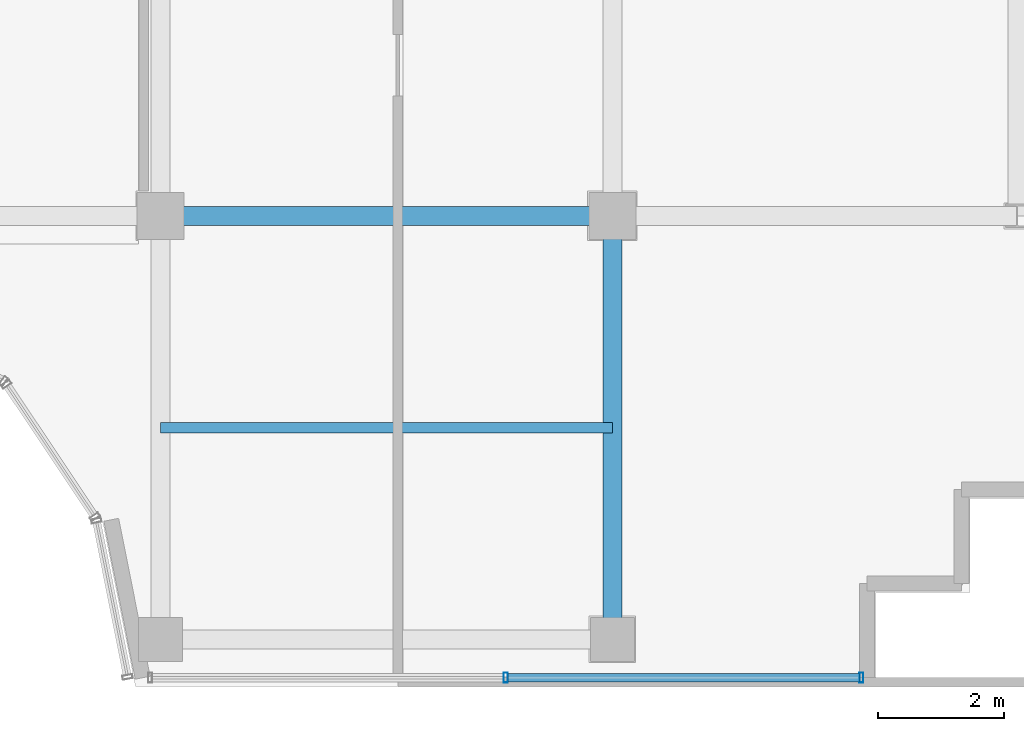
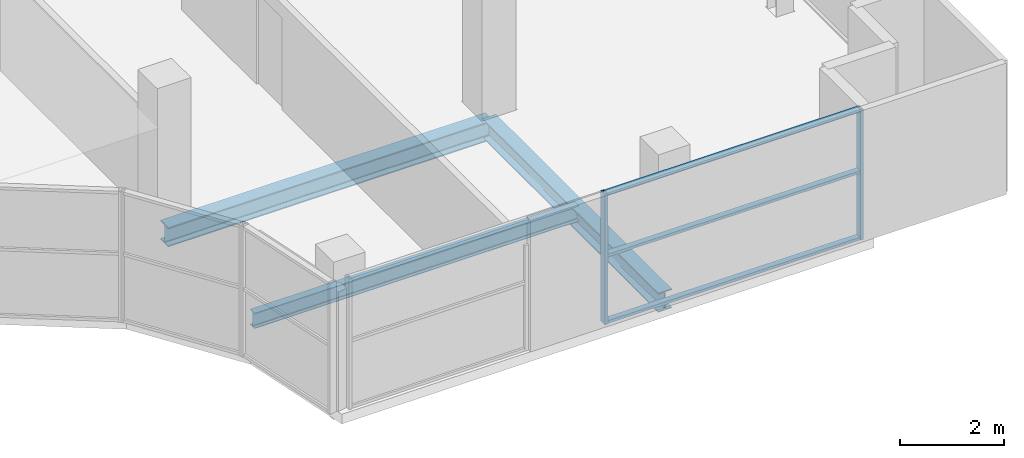
# One storey, part 11 of 28: 5 members, 3 beams, 1 element without a shape of its own.
"""IFC4 building model written with IfcOpenShell, lengths in metres."""

from ifc_helpers import new_model, si_unit, direction, frame, origin, origin_2d, place, context, subcontext, project, spatial, hollow_rectangle, i_section, extrude, source, transform, mapped, material, layer, layer_set, material_profile, profile_set, type_object, element, aggregate, save


model = new_model("IFC4")

# Units and contexts
model_context = context("Model", 3, precision=1e-05, world=origin(), true_north=direction((0.0, 1.0)))
body_context = subcontext(model_context, "Body", "Model", "MODEL_VIEW")
ifc_project = project(units=[si_unit("LENGTHUNIT", "METRE"), si_unit("AREAUNIT", "SQUARE_METRE"), si_unit("VOLUMEUNIT", "CUBIC_METRE"), si_unit("PLANEANGLEUNIT", "RADIAN"), si_unit("MASSUNIT", "GRAM", prefix="KILO")], contexts=[model_context])

# Site, building, storey
site_placement = place(None, origin())
site = spatial("IfcSite", under=ifc_project, at=site_placement, CompositionType="ELEMENT")
building_placement = place(site_placement, origin())
building = spatial("IfcBuilding", under=site, at=building_placement, Name="Zarnakvel Exchange Tower", CompositionType="ELEMENT")
storey_placement = place(building_placement, frame((0.0, 0.0, 268.300048828125)))
storey = spatial("IfcBuildingStorey", under=building, at=storey_placement, Name="L76", CompositionType="ELEMENT", Elevation=268.300048828125)

# Beams
ifc_material_1 = material(Name="Steel S355", Category="steel")
ifc_material_profile_1 = material_profile(ifc_material_1, i_section(OverallWidth=0.169921875, OverallDepth=0.360107421875, WebThickness=0.008056640625, FlangeThickness=0.0126953125, FilletRadius=0.01806640625, at=origin_2d()))
ifc_profile_set_1 = profile_set([ifc_material_profile_1], Name="Steel S355")
beam_type_1 = type_object("IfcBeamType", Name="B-07", PredefinedType="JOIST", material=ifc_profile_set_1)
beam_1_placement = place(storey_placement, frame((7.199951171875, -12.97509765625, -0.405029296875), z_axis=(1.0, 0.0, 0.0), x_axis=(0.0, 1.0, 0.0)))
element("IfcBeam", 1, at=beam_1_placement, inside=storey, type_object=beam_type_1, Name="L76 Composite Floor Secondary Joist", PredefinedType="JOIST", context=body_context, shape_type="SweptSolid", body=[
    extrude(i_section(OverallWidth=0.169921875, OverallDepth=0.360107421875, WebThickness=0.008056640625, FlangeThickness=0.0126953125, FilletRadius=0.01806640625, at=origin_2d()), origin(), (0.0, 0.0, 1.0), 7.199951171875),
])
ifc_material_profile_2 = material_profile(ifc_material_1, i_section(OverallWidth=0.300048828125, OverallDepth=0.449951171875, WebThickness=0.013916015625, FlangeThickness=0.02587890625, FilletRadius=0.027099609375, at=origin_2d()))
ifc_profile_set_2 = profile_set([ifc_material_profile_2], Name="Steel S355")
beam_type_2 = type_object("IfcBeamType", Name="G-07", PredefinedType="BEAM", material=ifc_profile_set_2)
beam_2_placement = place(storey_placement, frame((7.199951171875, -9.60009765625, -0.449951171875), z_axis=(1.0, 0.0, 0.0), x_axis=(0.0, 1.0, 0.0)))
element("IfcBeam", 2, at=beam_2_placement, inside=storey, type_object=beam_type_2, Name="L76 Tower E-W Frame Beam", PredefinedType="BEAM", context=body_context, shape_type="SweptSolid", body=[
    extrude(i_section(OverallWidth=0.300048828125, OverallDepth=0.449951171875, WebThickness=0.013916015625, FlangeThickness=0.02587890625, FilletRadius=0.027099609375, at=origin_2d()), origin(), (0.0, 0.0, 1.0), 7.199951171875),
])
beam_3_placement = place(storey_placement, frame((14.39990234375, -16.35009765625, -0.449951171875), z_axis=(0.0, 1.0, 0.0), x_axis=(-1.0, 0.0, 0.0)))
element("IfcBeam", 3, at=beam_3_placement, inside=storey, type_object=beam_type_2, Name="L76 Tower N-S Frame Beam", PredefinedType="BEAM", context=body_context, shape_type="SweptSolid", body=[
    extrude(i_section(OverallWidth=0.300048828125, OverallDepth=0.449951171875, WebThickness=0.013916015625, FlangeThickness=0.02587890625, FilletRadius=0.027099609375, at=origin_2d()), origin(), (0.0, 0.0, 1.0), 6.75),
])

# Curtain wall, members
ifc_material_2 = material(Name="Architectural Bronze Anodised Aluminium", Category="aluminium")
ifc_layer = layer(ifc_material_2, 0.159912109375)
ifc_layer_set = layer_set([ifc_layer], Name="Architectural Bronze Anodised Aluminium")
curtain_wall_type = type_object("IfcCurtainWallType", Name="CW-06", PredefinedType="NOTDEFINED", material=ifc_layer_set)
curtain_wall_placement = place(storey_placement, origin())
curtain_wall = element("IfcCurtainWall", 4, at=curtain_wall_placement, inside=storey, type_object=curtain_wall_type, Name="L76 Curtain Wall CW-L76-NSE (CW-06)", PredefinedType="NOTDEFINED")
ifc_material_profile_3 = material_profile(ifc_material_2, hollow_rectangle(XDim=0.1298828125, YDim=0.06494140625, WallThickness=0.00390625, at=origin_2d()))
ifc_profile_set_3 = profile_set([ifc_material_profile_3], Name="Architectural Bronze Anodised Aluminium")
member_type_1 = type_object("IfcMemberType", Name="CWT-06", PredefinedType="USERDEFINED", material=ifc_profile_set_3)
shared_shape_1 = source(origin(), body_context, "Body", "SweptSolid", [
    extrude(hollow_rectangle(XDim=0.1298828125, YDim=0.06494140625, WallThickness=0.00390625, at=origin_2d()), origin(), (0.0, 0.0, 1.0), 5.6025390625),
])
member_1_placement = place(storey_placement, frame((12.732421875, -16.9599609375, 0.032470703125), z_axis=(1.0, 0.0, 0.0), x_axis=(0.0, 1.0, 0.0)))
member_1 = element("IfcMember", 5, at=member_1_placement, type_object=member_type_1, Name="CW-06 transom 2.1", ObjectType="TRANSOM", PredefinedType="USERDEFINED", context=body_context, shape_type="MappedRepresentation", body=[
    mapped(shared_shape_1, transform((0.0, 0.0, 0.0), x_axis=(1.0, 0.0, 0.0), y_axis=(0.0, 1.0, 0.0), z_axis=(0.0, 0.0, 1.0), scale=1.0)),
])
member_2_placement = place(storey_placement, frame((12.732421875, -16.9599609375, 1.591064453125), z_axis=(1.0, 0.0, 0.0), x_axis=(0.0, 1.0, 0.0)))
member_2 = element("IfcMember", 6, at=member_2_placement, type_object=member_type_1, Name="CW-06 transom 2.2", ObjectType="TRANSOM", PredefinedType="USERDEFINED", context=body_context, shape_type="MappedRepresentation", body=[
    mapped(shared_shape_1, transform((0.0, 0.0, 0.0), x_axis=(1.0, 0.0, 0.0), y_axis=(0.0, 1.0, 0.0), z_axis=(0.0, 0.0, 1.0), scale=1.0)),
])
member_3_placement = place(storey_placement, frame((12.732421875, -16.9599609375, 3.02734375), z_axis=(1.0, 0.0, 0.0), x_axis=(0.0, 1.0, 0.0)))
member_3 = element("IfcMember", 7, at=member_3_placement, type_object=member_type_1, Name="CW-06 transom 2.3", ObjectType="TRANSOM", PredefinedType="USERDEFINED", context=body_context, shape_type="MappedRepresentation", body=[
    mapped(shared_shape_1, transform((0.0, 0.0, 0.0), x_axis=(1.0, 0.0, 0.0), y_axis=(0.0, 1.0, 0.0), z_axis=(0.0, 0.0, 1.0), scale=1.0)),
])
ifc_material_profile_4 = material_profile(ifc_material_2, hollow_rectangle(XDim=0.159912109375, YDim=0.06494140625, WallThickness=0.00390625, at=origin_2d()))
ifc_profile_set_4 = profile_set([ifc_material_profile_4], Name="Architectural Bronze Anodised Aluminium")
member_type_2 = type_object("IfcMemberType", Name="CWM-06", PredefinedType="MULLION", material=ifc_profile_set_4)
shared_shape_2 = source(origin(), body_context, "Body", "SweptSolid", [
    extrude(hollow_rectangle(XDim=0.159912109375, YDim=0.06494140625, WallThickness=0.00390625, at=origin_2d()), origin(), (0.0, 0.0, 1.0), 3.06005859375),
])
member_4_placement = place(storey_placement, frame((12.699951171875, -16.9599609375, 0.0), z_axis=(0.0, 0.0, 1.0), x_axis=(0.0, 1.0, 0.0)))
member_4 = element("IfcMember", 8, at=member_4_placement, type_object=member_type_2, Name="CW-06 mullion 2", PredefinedType="MULLION", context=body_context, shape_type="MappedRepresentation", body=[
    mapped(shared_shape_2, transform((0.0, 0.0, 0.0), x_axis=(1.0, 0.0, 0.0), y_axis=(0.0, 1.0, 0.0), z_axis=(0.0, 0.0, 1.0), scale=1.0)),
])
member_5_placement = place(storey_placement, frame((18.367431640625, -16.9599609375, 0.0), z_axis=(0.0, 0.0, 1.0), x_axis=(0.0, 1.0, 0.0)))
member_5 = element("IfcMember", 9, at=member_5_placement, type_object=member_type_2, Name="CW-06 mullion 3", PredefinedType="MULLION", context=body_context, shape_type="MappedRepresentation", body=[
    mapped(shared_shape_2, transform((0.0, 0.0, 0.0), x_axis=(1.0, 0.0, 0.0), y_axis=(0.0, 1.0, 0.0), z_axis=(0.0, 0.0, 1.0), scale=1.0)),
])
aggregate(curtain_wall, [member_4, member_5, member_1, member_2, member_3])

save(model, "model.ifc")
